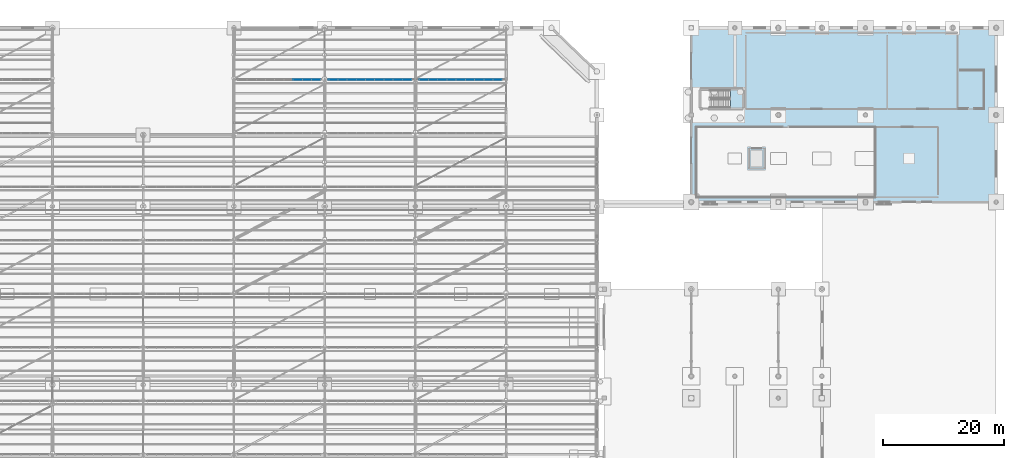
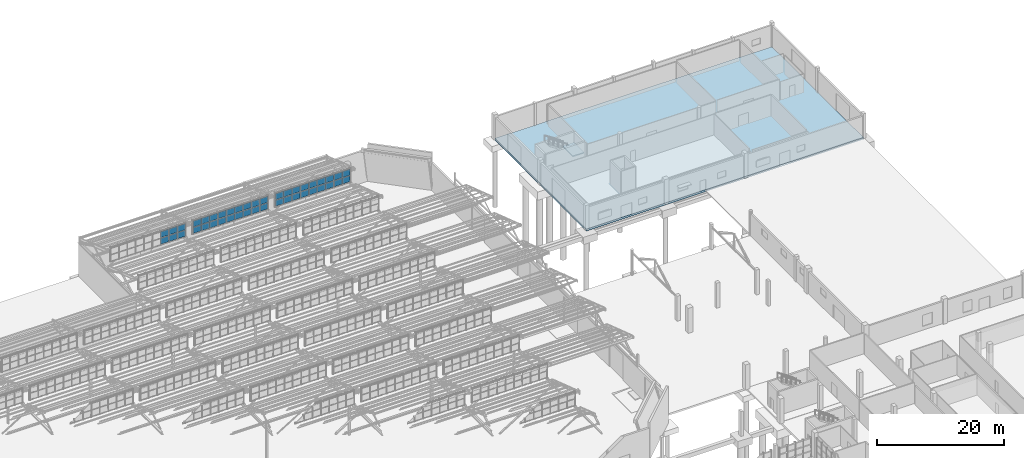
# One storey, part 188 of 285: 42 plates, 2 slabs, 4 elements without a shape of their own.
"""IFC4 building model written with IfcOpenShell, lengths in metres."""

from ifc_helpers import new_model, si_unit, direction, frame, origin, origin_2d, place, context, subcontext, project, spatial, polyline, rectangle, outline, extrude, material, layer, layer_set, type_object, element, aggregate, save


model = new_model("IFC4")

# Units and contexts
model_context = context("Model", 3, precision=1e-05, world=origin(), true_north=direction((0.0, 1.0)))
body_context = subcontext(model_context, "Body", "Model", "MODEL_VIEW")
ifc_project = project(units=[si_unit("LENGTHUNIT", "METRE"), si_unit("AREAUNIT", "SQUARE_METRE"), si_unit("VOLUMEUNIT", "CUBIC_METRE"), si_unit("PLANEANGLEUNIT", "RADIAN"), si_unit("MASSUNIT", "GRAM", prefix="KILO")], contexts=[model_context])

# Site, building, storey
site_placement = place(None, origin())
site = spatial("IfcSite", under=ifc_project, at=site_placement, CompositionType="ELEMENT")
building_placement = place(site_placement, origin())
building = spatial("IfcBuilding", under=site, at=building_placement, Name="Solanera Park Tramway Depot", CompositionType="ELEMENT")
storey_placement = place(building_placement, origin())
storey = spatial("IfcBuildingStorey", under=building, at=storey_placement, Name="L00", CompositionType="ELEMENT", Elevation=0.0)

# Curtain wall, plates
ifc_material_1 = material(Name="Bronze-anodised thermally broken aluminium curtain wall", Category="aluminium")
curtain_wall_type = type_object("IfcCurtainWallType", Name="Sawtooth Clerestory Monitor Curtain Wall", PredefinedType="NOTDEFINED", material=ifc_material_1)
curtain_wall_1_placement = place(storey_placement, origin())
curtain_wall_1 = element("IfcCurtainWall", 1, at=curtain_wall_1_placement, inside=storey, type_object=curtain_wall_type, Name="L00 Sawtooth Clerestory Monitor Curtain Wall #069", PredefinedType="NOTDEFINED")
ifc_material_2 = material(Name="Low-E laminated solar-control double glazing", Category="glass")
ifc_layer_1 = layer(ifc_material_2, 0.028076171875)
ifc_layer_set_1 = layer_set([ifc_layer_1], Name="Low-E laminated solar-control double glazing")
plate_type = type_object("IfcPlateType", Name="Curtain Wall Double Glazing Panel 28", PredefinedType="CURTAIN_PANEL", material=ifc_layer_set_1)
plate_1_placement = place(storey_placement, frame((100.54443359375, 135.39990234375, 7.862060546875), z_axis=(0.0, 0.0, 1.0), x_axis=(1.0, 0.0, 0.0)))
plate_1 = element("IfcPlate", 2, at=plate_1_placement, type_object=plate_type, Name="CW-L00-069 Glazing Panel R1.C7", PredefinedType="CURTAIN_PANEL", context=body_context, shape_type="SweptSolid", body=[
    extrude(rectangle(XDim=1.47021484375, YDim=0.028076171875, at=origin_2d()), origin(), (0.0, 0.0, 1.0), 1.16650390625),
])
plate_2_placement = place(storey_placement, frame((102.066650390625, 135.39990234375, 7.862060546875), z_axis=(0.0, 0.0, 1.0), x_axis=(1.0, 0.0, 0.0)))
plate_2 = element("IfcPlate", 3, at=plate_2_placement, type_object=plate_type, Name="CW-L00-069 Glazing Panel R1.C8", PredefinedType="CURTAIN_PANEL", context=body_context, shape_type="SweptSolid", body=[
    extrude(rectangle(XDim=1.47021484375, YDim=0.028076171875, at=origin_2d()), origin(), (0.0, 0.0, 1.0), 1.16650390625),
])
plate_3_placement = place(storey_placement, frame((103.572509765625, 135.39990234375, 7.862060546875), z_axis=(0.0, 0.0, 1.0), x_axis=(1.0, 0.0, 0.0)))
plate_3 = element("IfcPlate", 4, at=plate_3_placement, type_object=plate_type, Name="CW-L00-069 Glazing Panel R1.C9", PredefinedType="CURTAIN_PANEL", context=body_context, shape_type="SweptSolid", body=[
    extrude(rectangle(XDim=1.437744140625, YDim=0.028076171875, at=origin_2d()), origin(), (0.0, 0.0, 1.0), 1.16650390625),
])
plate_4_placement = place(storey_placement, frame((100.54443359375, 135.39990234375, 9.132568359375), z_axis=(0.0, 0.0, 1.0), x_axis=(1.0, 0.0, 0.0)))
plate_4 = element("IfcPlate", 5, at=plate_4_placement, type_object=plate_type, Name="CW-L00-069 Glazing Panel R2.C7", PredefinedType="CURTAIN_PANEL", context=body_context, shape_type="SweptSolid", body=[
    extrude(rectangle(XDim=1.47021484375, YDim=0.028076171875, at=origin_2d()), origin(), (0.0, 0.0, 1.0), 1.16650390625),
])
plate_5_placement = place(storey_placement, frame((102.066650390625, 135.39990234375, 9.132568359375), z_axis=(0.0, 0.0, 1.0), x_axis=(1.0, 0.0, 0.0)))
plate_5 = element("IfcPlate", 6, at=plate_5_placement, type_object=plate_type, Name="CW-L00-069 Glazing Panel R2.C8", PredefinedType="CURTAIN_PANEL", context=body_context, shape_type="SweptSolid", body=[
    extrude(rectangle(XDim=1.47021484375, YDim=0.028076171875, at=origin_2d()), origin(), (0.0, 0.0, 1.0), 1.16650390625),
])
plate_6_placement = place(storey_placement, frame((103.572509765625, 135.39990234375, 9.132568359375), z_axis=(0.0, 0.0, 1.0), x_axis=(1.0, 0.0, 0.0)))
plate_6 = element("IfcPlate", 7, at=plate_6_placement, type_object=plate_type, Name="CW-L00-069 Glazing Panel R2.C9", PredefinedType="CURTAIN_PANEL", context=body_context, shape_type="SweptSolid", body=[
    extrude(rectangle(XDim=1.437744140625, YDim=0.028076171875, at=origin_2d()), origin(), (0.0, 0.0, 1.0), 1.16650390625),
])
aggregate(curtain_wall_1, [plate_1, plate_2, plate_3, plate_4, plate_5, plate_6])

curtain_wall_2_placement = place(storey_placement, origin())
curtain_wall_2 = element("IfcCurtainWall", 8, at=curtain_wall_2_placement, inside=storey, type_object=curtain_wall_type, Name="L00 Sawtooth Clerestory Monitor Curtain Wall #070", PredefinedType="NOTDEFINED")
plate_7_placement = place(storey_placement, frame((106.427490234375, 135.39990234375, 7.862060546875), z_axis=(0.0, 0.0, 1.0), x_axis=(1.0, 0.0, 0.0)))
plate_7 = element("IfcPlate", 9, at=plate_7_placement, type_object=plate_type, Name="CW-L00-070 Glazing Panel R1.C1", PredefinedType="CURTAIN_PANEL", context=body_context, shape_type="SweptSolid", body=[
    extrude(rectangle(XDim=1.437744140625, YDim=0.028076171875, at=origin_2d()), origin(), (0.0, 0.0, 1.0), 1.16650390625),
])
plate_8_placement = place(storey_placement, frame((107.933349609375, 135.39990234375, 7.862060546875), z_axis=(0.0, 0.0, 1.0), x_axis=(1.0, 0.0, 0.0)))
plate_8 = element("IfcPlate", 10, at=plate_8_placement, type_object=plate_type, Name="CW-L00-070 Glazing Panel R1.C2", PredefinedType="CURTAIN_PANEL", context=body_context, shape_type="SweptSolid", body=[
    extrude(rectangle(XDim=1.47021484375, YDim=0.028076171875, at=origin_2d()), origin(), (0.0, 0.0, 1.0), 1.16650390625),
])
plate_9_placement = place(storey_placement, frame((109.45556640625, 135.39990234375, 7.862060546875), z_axis=(0.0, 0.0, 1.0), x_axis=(1.0, 0.0, 0.0)))
plate_9 = element("IfcPlate", 11, at=plate_9_placement, type_object=plate_type, Name="CW-L00-070 Glazing Panel R1.C3", PredefinedType="CURTAIN_PANEL", context=body_context, shape_type="SweptSolid", body=[
    extrude(rectangle(XDim=1.47021484375, YDim=0.028076171875, at=origin_2d()), origin(), (0.0, 0.0, 1.0), 1.16650390625),
])
plate_10_placement = place(storey_placement, frame((110.977783203125, 135.39990234375, 7.862060546875), z_axis=(0.0, 0.0, 1.0), x_axis=(1.0, 0.0, 0.0)))
plate_10 = element("IfcPlate", 12, at=plate_10_placement, type_object=plate_type, Name="CW-L00-070 Glazing Panel R1.C4", PredefinedType="CURTAIN_PANEL", context=body_context, shape_type="SweptSolid", body=[
    extrude(rectangle(XDim=1.47021484375, YDim=0.028076171875, at=origin_2d()), origin(), (0.0, 0.0, 1.0), 1.16650390625),
])
plate_11_placement = place(storey_placement, frame((112.5, 135.39990234375, 7.862060546875), z_axis=(0.0, 0.0, 1.0), x_axis=(1.0, 0.0, 0.0)))
plate_11 = element("IfcPlate", 13, at=plate_11_placement, type_object=plate_type, Name="CW-L00-070 Glazing Panel R1.C5", PredefinedType="CURTAIN_PANEL", context=body_context, shape_type="SweptSolid", body=[
    extrude(rectangle(XDim=1.47021484375, YDim=0.028076171875, at=origin_2d()), origin(), (0.0, 0.0, 1.0), 1.16650390625),
])
plate_12_placement = place(storey_placement, frame((114.022216796875, 135.39990234375, 7.862060546875), z_axis=(0.0, 0.0, 1.0), x_axis=(1.0, 0.0, 0.0)))
plate_12 = element("IfcPlate", 14, at=plate_12_placement, type_object=plate_type, Name="CW-L00-070 Glazing Panel R1.C6", PredefinedType="CURTAIN_PANEL", context=body_context, shape_type="SweptSolid", body=[
    extrude(rectangle(XDim=1.47021484375, YDim=0.028076171875, at=origin_2d()), origin(), (0.0, 0.0, 1.0), 1.16650390625),
])
plate_13_placement = place(storey_placement, frame((115.54443359375, 135.39990234375, 7.862060546875), z_axis=(0.0, 0.0, 1.0), x_axis=(1.0, 0.0, 0.0)))
plate_13 = element("IfcPlate", 15, at=plate_13_placement, type_object=plate_type, Name="CW-L00-070 Glazing Panel R1.C7", PredefinedType="CURTAIN_PANEL", context=body_context, shape_type="SweptSolid", body=[
    extrude(rectangle(XDim=1.47021484375, YDim=0.028076171875, at=origin_2d()), origin(), (0.0, 0.0, 1.0), 1.16650390625),
])
plate_14_placement = place(storey_placement, frame((117.066650390625, 135.39990234375, 7.862060546875), z_axis=(0.0, 0.0, 1.0), x_axis=(1.0, 0.0, 0.0)))
plate_14 = element("IfcPlate", 16, at=plate_14_placement, type_object=plate_type, Name="CW-L00-070 Glazing Panel R1.C8", PredefinedType="CURTAIN_PANEL", context=body_context, shape_type="SweptSolid", body=[
    extrude(rectangle(XDim=1.47021484375, YDim=0.028076171875, at=origin_2d()), origin(), (0.0, 0.0, 1.0), 1.16650390625),
])
plate_15_placement = place(storey_placement, frame((118.572509765625, 135.39990234375, 7.862060546875), z_axis=(0.0, 0.0, 1.0), x_axis=(1.0, 0.0, 0.0)))
plate_15 = element("IfcPlate", 17, at=plate_15_placement, type_object=plate_type, Name="CW-L00-070 Glazing Panel R1.C9", PredefinedType="CURTAIN_PANEL", context=body_context, shape_type="SweptSolid", body=[
    extrude(rectangle(XDim=1.437744140625, YDim=0.028076171875, at=origin_2d()), origin(), (0.0, 0.0, 1.0), 1.16650390625),
])
plate_16_placement = place(storey_placement, frame((106.427490234375, 135.39990234375, 9.132568359375), z_axis=(0.0, 0.0, 1.0), x_axis=(1.0, 0.0, 0.0)))
plate_16 = element("IfcPlate", 18, at=plate_16_placement, type_object=plate_type, Name="CW-L00-070 Glazing Panel R2.C1", PredefinedType="CURTAIN_PANEL", context=body_context, shape_type="SweptSolid", body=[
    extrude(rectangle(XDim=1.437744140625, YDim=0.028076171875, at=origin_2d()), origin(), (0.0, 0.0, 1.0), 1.16650390625),
])
plate_17_placement = place(storey_placement, frame((107.933349609375, 135.39990234375, 9.132568359375), z_axis=(0.0, 0.0, 1.0), x_axis=(1.0, 0.0, 0.0)))
plate_17 = element("IfcPlate", 19, at=plate_17_placement, type_object=plate_type, Name="CW-L00-070 Glazing Panel R2.C2", PredefinedType="CURTAIN_PANEL", context=body_context, shape_type="SweptSolid", body=[
    extrude(rectangle(XDim=1.47021484375, YDim=0.028076171875, at=origin_2d()), origin(), (0.0, 0.0, 1.0), 1.16650390625),
])
plate_18_placement = place(storey_placement, frame((109.45556640625, 135.39990234375, 9.132568359375), z_axis=(0.0, 0.0, 1.0), x_axis=(1.0, 0.0, 0.0)))
plate_18 = element("IfcPlate", 20, at=plate_18_placement, type_object=plate_type, Name="CW-L00-070 Glazing Panel R2.C3", PredefinedType="CURTAIN_PANEL", context=body_context, shape_type="SweptSolid", body=[
    extrude(rectangle(XDim=1.47021484375, YDim=0.028076171875, at=origin_2d()), origin(), (0.0, 0.0, 1.0), 1.16650390625),
])
plate_19_placement = place(storey_placement, frame((110.977783203125, 135.39990234375, 9.132568359375), z_axis=(0.0, 0.0, 1.0), x_axis=(1.0, 0.0, 0.0)))
plate_19 = element("IfcPlate", 21, at=plate_19_placement, type_object=plate_type, Name="CW-L00-070 Glazing Panel R2.C4", PredefinedType="CURTAIN_PANEL", context=body_context, shape_type="SweptSolid", body=[
    extrude(rectangle(XDim=1.47021484375, YDim=0.028076171875, at=origin_2d()), origin(), (0.0, 0.0, 1.0), 1.16650390625),
])
plate_20_placement = place(storey_placement, frame((112.5, 135.39990234375, 9.132568359375), z_axis=(0.0, 0.0, 1.0), x_axis=(1.0, 0.0, 0.0)))
plate_20 = element("IfcPlate", 22, at=plate_20_placement, type_object=plate_type, Name="CW-L00-070 Glazing Panel R2.C5", PredefinedType="CURTAIN_PANEL", context=body_context, shape_type="SweptSolid", body=[
    extrude(rectangle(XDim=1.47021484375, YDim=0.028076171875, at=origin_2d()), origin(), (0.0, 0.0, 1.0), 1.16650390625),
])
plate_21_placement = place(storey_placement, frame((114.022216796875, 135.39990234375, 9.132568359375), z_axis=(0.0, 0.0, 1.0), x_axis=(1.0, 0.0, 0.0)))
plate_21 = element("IfcPlate", 23, at=plate_21_placement, type_object=plate_type, Name="CW-L00-070 Glazing Panel R2.C6", PredefinedType="CURTAIN_PANEL", context=body_context, shape_type="SweptSolid", body=[
    extrude(rectangle(XDim=1.47021484375, YDim=0.028076171875, at=origin_2d()), origin(), (0.0, 0.0, 1.0), 1.16650390625),
])
plate_22_placement = place(storey_placement, frame((115.54443359375, 135.39990234375, 9.132568359375), z_axis=(0.0, 0.0, 1.0), x_axis=(1.0, 0.0, 0.0)))
plate_22 = element("IfcPlate", 24, at=plate_22_placement, type_object=plate_type, Name="CW-L00-070 Glazing Panel R2.C7", PredefinedType="CURTAIN_PANEL", context=body_context, shape_type="SweptSolid", body=[
    extrude(rectangle(XDim=1.47021484375, YDim=0.028076171875, at=origin_2d()), origin(), (0.0, 0.0, 1.0), 1.16650390625),
])
plate_23_placement = place(storey_placement, frame((117.066650390625, 135.39990234375, 9.132568359375), z_axis=(0.0, 0.0, 1.0), x_axis=(1.0, 0.0, 0.0)))
plate_23 = element("IfcPlate", 25, at=plate_23_placement, type_object=plate_type, Name="CW-L00-070 Glazing Panel R2.C8", PredefinedType="CURTAIN_PANEL", context=body_context, shape_type="SweptSolid", body=[
    extrude(rectangle(XDim=1.47021484375, YDim=0.028076171875, at=origin_2d()), origin(), (0.0, 0.0, 1.0), 1.16650390625),
])
plate_24_placement = place(storey_placement, frame((118.572509765625, 135.39990234375, 9.132568359375), z_axis=(0.0, 0.0, 1.0), x_axis=(1.0, 0.0, 0.0)))
plate_24 = element("IfcPlate", 26, at=plate_24_placement, type_object=plate_type, Name="CW-L00-070 Glazing Panel R2.C9", PredefinedType="CURTAIN_PANEL", context=body_context, shape_type="SweptSolid", body=[
    extrude(rectangle(XDim=1.437744140625, YDim=0.028076171875, at=origin_2d()), origin(), (0.0, 0.0, 1.0), 1.16650390625),
])
aggregate(curtain_wall_2, [plate_7, plate_8, plate_9, plate_10, plate_11, plate_12, plate_13, plate_14, plate_15, plate_16, plate_17, plate_18, plate_19, plate_20, plate_21, plate_22, plate_23, plate_24])

curtain_wall_3_placement = place(storey_placement, origin())
curtain_wall_3 = element("IfcCurtainWall", 27, at=curtain_wall_3_placement, inside=storey, type_object=curtain_wall_type, Name="L00 Sawtooth Clerestory Monitor Curtain Wall #071", PredefinedType="NOTDEFINED")
plate_25_placement = place(storey_placement, frame((121.427490234375, 135.39990234375, 7.862060546875), z_axis=(0.0, 0.0, 1.0), x_axis=(1.0, 0.0, 0.0)))
plate_25 = element("IfcPlate", 28, at=plate_25_placement, type_object=plate_type, Name="CW-L00-071 Glazing Panel R1.C1", PredefinedType="CURTAIN_PANEL", context=body_context, shape_type="SweptSolid", body=[
    extrude(rectangle(XDim=1.437744140625, YDim=0.028076171875, at=origin_2d()), origin(), (0.0, 0.0, 1.0), 1.16650390625),
])
plate_26_placement = place(storey_placement, frame((122.933349609375, 135.39990234375, 7.862060546875), z_axis=(0.0, 0.0, 1.0), x_axis=(1.0, 0.0, 0.0)))
plate_26 = element("IfcPlate", 29, at=plate_26_placement, type_object=plate_type, Name="CW-L00-071 Glazing Panel R1.C2", PredefinedType="CURTAIN_PANEL", context=body_context, shape_type="SweptSolid", body=[
    extrude(rectangle(XDim=1.47021484375, YDim=0.028076171875, at=origin_2d()), origin(), (0.0, 0.0, 1.0), 1.16650390625),
])
plate_27_placement = place(storey_placement, frame((124.45556640625, 135.39990234375, 7.862060546875), z_axis=(0.0, 0.0, 1.0), x_axis=(1.0, 0.0, 0.0)))
plate_27 = element("IfcPlate", 30, at=plate_27_placement, type_object=plate_type, Name="CW-L00-071 Glazing Panel R1.C3", PredefinedType="CURTAIN_PANEL", context=body_context, shape_type="SweptSolid", body=[
    extrude(rectangle(XDim=1.47021484375, YDim=0.028076171875, at=origin_2d()), origin(), (0.0, 0.0, 1.0), 1.16650390625),
])
plate_28_placement = place(storey_placement, frame((125.977783203125, 135.39990234375, 7.862060546875), z_axis=(0.0, 0.0, 1.0), x_axis=(1.0, 0.0, 0.0)))
plate_28 = element("IfcPlate", 31, at=plate_28_placement, type_object=plate_type, Name="CW-L00-071 Glazing Panel R1.C4", PredefinedType="CURTAIN_PANEL", context=body_context, shape_type="SweptSolid", body=[
    extrude(rectangle(XDim=1.47021484375, YDim=0.028076171875, at=origin_2d()), origin(), (0.0, 0.0, 1.0), 1.16650390625),
])
plate_29_placement = place(storey_placement, frame((127.5, 135.39990234375, 7.862060546875), z_axis=(0.0, 0.0, 1.0), x_axis=(1.0, 0.0, 0.0)))
plate_29 = element("IfcPlate", 32, at=plate_29_placement, type_object=plate_type, Name="CW-L00-071 Glazing Panel R1.C5", PredefinedType="CURTAIN_PANEL", context=body_context, shape_type="SweptSolid", body=[
    extrude(rectangle(XDim=1.47021484375, YDim=0.028076171875, at=origin_2d()), origin(), (0.0, 0.0, 1.0), 1.16650390625),
])
plate_30_placement = place(storey_placement, frame((129.022216796875, 135.39990234375, 7.862060546875), z_axis=(0.0, 0.0, 1.0), x_axis=(1.0, 0.0, 0.0)))
plate_30 = element("IfcPlate", 33, at=plate_30_placement, type_object=plate_type, Name="CW-L00-071 Glazing Panel R1.C6", PredefinedType="CURTAIN_PANEL", context=body_context, shape_type="SweptSolid", body=[
    extrude(rectangle(XDim=1.47021484375, YDim=0.028076171875, at=origin_2d()), origin(), (0.0, 0.0, 1.0), 1.16650390625),
])
plate_31_placement = place(storey_placement, frame((130.54443359375, 135.39990234375, 7.862060546875), z_axis=(0.0, 0.0, 1.0), x_axis=(1.0, 0.0, 0.0)))
plate_31 = element("IfcPlate", 34, at=plate_31_placement, type_object=plate_type, Name="CW-L00-071 Glazing Panel R1.C7", PredefinedType="CURTAIN_PANEL", context=body_context, shape_type="SweptSolid", body=[
    extrude(rectangle(XDim=1.47021484375, YDim=0.028076171875, at=origin_2d()), origin(), (0.0, 0.0, 1.0), 1.16650390625),
])
plate_32_placement = place(storey_placement, frame((132.066650390625, 135.39990234375, 7.862060546875), z_axis=(0.0, 0.0, 1.0), x_axis=(1.0, 0.0, 0.0)))
plate_32 = element("IfcPlate", 35, at=plate_32_placement, type_object=plate_type, Name="CW-L00-071 Glazing Panel R1.C8", PredefinedType="CURTAIN_PANEL", context=body_context, shape_type="SweptSolid", body=[
    extrude(rectangle(XDim=1.47021484375, YDim=0.028076171875, at=origin_2d()), origin(), (0.0, 0.0, 1.0), 1.16650390625),
])
plate_33_placement = place(storey_placement, frame((133.572509765625, 135.39990234375, 7.862060546875), z_axis=(0.0, 0.0, 1.0), x_axis=(1.0, 0.0, 0.0)))
plate_33 = element("IfcPlate", 36, at=plate_33_placement, type_object=plate_type, Name="CW-L00-071 Glazing Panel R1.C9", PredefinedType="CURTAIN_PANEL", context=body_context, shape_type="SweptSolid", body=[
    extrude(rectangle(XDim=1.437744140625, YDim=0.028076171875, at=origin_2d()), origin(), (0.0, 0.0, 1.0), 1.16650390625),
])
plate_34_placement = place(storey_placement, frame((121.427490234375, 135.39990234375, 9.132568359375), z_axis=(0.0, 0.0, 1.0), x_axis=(1.0, 0.0, 0.0)))
plate_34 = element("IfcPlate", 37, at=plate_34_placement, type_object=plate_type, Name="CW-L00-071 Glazing Panel R2.C1", PredefinedType="CURTAIN_PANEL", context=body_context, shape_type="SweptSolid", body=[
    extrude(rectangle(XDim=1.437744140625, YDim=0.028076171875, at=origin_2d()), origin(), (0.0, 0.0, 1.0), 1.16650390625),
])
plate_35_placement = place(storey_placement, frame((122.933349609375, 135.39990234375, 9.132568359375), z_axis=(0.0, 0.0, 1.0), x_axis=(1.0, 0.0, 0.0)))
plate_35 = element("IfcPlate", 38, at=plate_35_placement, type_object=plate_type, Name="CW-L00-071 Glazing Panel R2.C2", PredefinedType="CURTAIN_PANEL", context=body_context, shape_type="SweptSolid", body=[
    extrude(rectangle(XDim=1.47021484375, YDim=0.028076171875, at=origin_2d()), origin(), (0.0, 0.0, 1.0), 1.16650390625),
])
plate_36_placement = place(storey_placement, frame((124.45556640625, 135.39990234375, 9.132568359375), z_axis=(0.0, 0.0, 1.0), x_axis=(1.0, 0.0, 0.0)))
plate_36 = element("IfcPlate", 39, at=plate_36_placement, type_object=plate_type, Name="CW-L00-071 Glazing Panel R2.C3", PredefinedType="CURTAIN_PANEL", context=body_context, shape_type="SweptSolid", body=[
    extrude(rectangle(XDim=1.47021484375, YDim=0.028076171875, at=origin_2d()), origin(), (0.0, 0.0, 1.0), 1.16650390625),
])
plate_37_placement = place(storey_placement, frame((125.977783203125, 135.39990234375, 9.132568359375), z_axis=(0.0, 0.0, 1.0), x_axis=(1.0, 0.0, 0.0)))
plate_37 = element("IfcPlate", 40, at=plate_37_placement, type_object=plate_type, Name="CW-L00-071 Glazing Panel R2.C4", PredefinedType="CURTAIN_PANEL", context=body_context, shape_type="SweptSolid", body=[
    extrude(rectangle(XDim=1.47021484375, YDim=0.028076171875, at=origin_2d()), origin(), (0.0, 0.0, 1.0), 1.16650390625),
])
plate_38_placement = place(storey_placement, frame((127.5, 135.39990234375, 9.132568359375), z_axis=(0.0, 0.0, 1.0), x_axis=(1.0, 0.0, 0.0)))
plate_38 = element("IfcPlate", 41, at=plate_38_placement, type_object=plate_type, Name="CW-L00-071 Glazing Panel R2.C5", PredefinedType="CURTAIN_PANEL", context=body_context, shape_type="SweptSolid", body=[
    extrude(rectangle(XDim=1.47021484375, YDim=0.028076171875, at=origin_2d()), origin(), (0.0, 0.0, 1.0), 1.16650390625),
])
plate_39_placement = place(storey_placement, frame((129.022216796875, 135.39990234375, 9.132568359375), z_axis=(0.0, 0.0, 1.0), x_axis=(1.0, 0.0, 0.0)))
plate_39 = element("IfcPlate", 42, at=plate_39_placement, type_object=plate_type, Name="CW-L00-071 Glazing Panel R2.C6", PredefinedType="CURTAIN_PANEL", context=body_context, shape_type="SweptSolid", body=[
    extrude(rectangle(XDim=1.47021484375, YDim=0.028076171875, at=origin_2d()), origin(), (0.0, 0.0, 1.0), 1.16650390625),
])
plate_40_placement = place(storey_placement, frame((130.54443359375, 135.39990234375, 9.132568359375), z_axis=(0.0, 0.0, 1.0), x_axis=(1.0, 0.0, 0.0)))
plate_40 = element("IfcPlate", 43, at=plate_40_placement, type_object=plate_type, Name="CW-L00-071 Glazing Panel R2.C7", PredefinedType="CURTAIN_PANEL", context=body_context, shape_type="SweptSolid", body=[
    extrude(rectangle(XDim=1.47021484375, YDim=0.028076171875, at=origin_2d()), origin(), (0.0, 0.0, 1.0), 1.16650390625),
])
plate_41_placement = place(storey_placement, frame((132.066650390625, 135.39990234375, 9.132568359375), z_axis=(0.0, 0.0, 1.0), x_axis=(1.0, 0.0, 0.0)))
plate_41 = element("IfcPlate", 44, at=plate_41_placement, type_object=plate_type, Name="CW-L00-071 Glazing Panel R2.C8", PredefinedType="CURTAIN_PANEL", context=body_context, shape_type="SweptSolid", body=[
    extrude(rectangle(XDim=1.47021484375, YDim=0.028076171875, at=origin_2d()), origin(), (0.0, 0.0, 1.0), 1.16650390625),
])
plate_42_placement = place(storey_placement, frame((133.572509765625, 135.39990234375, 9.132568359375), z_axis=(0.0, 0.0, 1.0), x_axis=(1.0, 0.0, 0.0)))
plate_42 = element("IfcPlate", 45, at=plate_42_placement, type_object=plate_type, Name="CW-L00-071 Glazing Panel R2.C9", PredefinedType="CURTAIN_PANEL", context=body_context, shape_type="SweptSolid", body=[
    extrude(rectangle(XDim=1.437744140625, YDim=0.028076171875, at=origin_2d()), origin(), (0.0, 0.0, 1.0), 1.16650390625),
])
aggregate(curtain_wall_3, [plate_25, plate_26, plate_27, plate_28, plate_29, plate_30, plate_31, plate_32, plate_33, plate_34, plate_35, plate_36, plate_37, plate_38, plate_39, plate_40, plate_41, plate_42])

# Slab
ifc_material_3 = material(Name="Concrete N40 (C40/50)", Category="concrete")
ifc_layer_2 = layer(ifc_material_3, 0.375)
ifc_layer_set_2 = layer_set([ifc_layer_2], Name="Concrete N40 (C40/50)")
slab_type_1 = type_object("IfcSlabType", Name="Slab Base 375", PredefinedType="BASESLAB", material=ifc_layer_set_2)
slab_1_placement = place(storey_placement, frame((0.0, 0.0, -0.375)))
element("IfcSlab", 46, at=slab_1_placement, inside=storey, type_object=slab_type_1, Name="L00 Structural Slab SL-L00-V3", PredefinedType="BASESLAB", context=body_context, shape_type="SweptSolid", body=[
    extrude(outline(polyline([(216.0, 115.199951171875), (216.0, 144.0), (165.60009765625, 144.0), (165.60009765625, 115.199951171875), (216.0, 115.199951171875)])), origin(), (0.0, 0.0, 1.0), 0.375),
])

# Stair, slab
ifc_material_4 = material(Name="Concrete N40 (C40/50)", Category="concrete")
stair_type = type_object("IfcStairType", Name="Stair Half-Turn Dogleg 4800", PredefinedType="HALF_TURN_STAIR", material=ifc_material_4)
stair_placement = place(storey_placement, origin())
stair = element("IfcStair", 47, at=stair_placement, inside=storey, type_object=stair_type, Name="ST-11 L00 Half-Turn Stair", PredefinedType="HALF_TURN_STAIR")
ifc_material_5 = material(Name="Concrete N40 (C40/50)", Category="concrete")
ifc_layer_3 = layer(ifc_material_5, 0.199951171875)
ifc_layer_set_3 = layer_set([ifc_layer_3], Name="Concrete N40 (C40/50)")
slab_type_2 = type_object("IfcSlabType", Name="Slab Stair Landing 200", PredefinedType="LANDING", material=ifc_layer_set_3)
slab_2_placement = place(storey_placement, frame((0.0, 0.0, 2.199951171875)))
slab_2 = element("IfcSlab", 48, at=slab_2_placement, type_object=slab_type_2, Name="ST-11 L00 Half-Landing 1", PredefinedType="LANDING", context=body_context, shape_type="SweptSolid", body=[
    extrude(outline(polyline([(172.06005859375, 130.679931640625), (174.1201171875, 130.679931640625), (174.1201171875, 133.820068359375), (172.06005859375, 133.820068359375), (172.06005859375, 130.679931640625)])), origin(), (0.0, 0.0, 1.0), 0.199951171875),
])
aggregate(stair, [slab_2])

save(model, "model.ifc")
